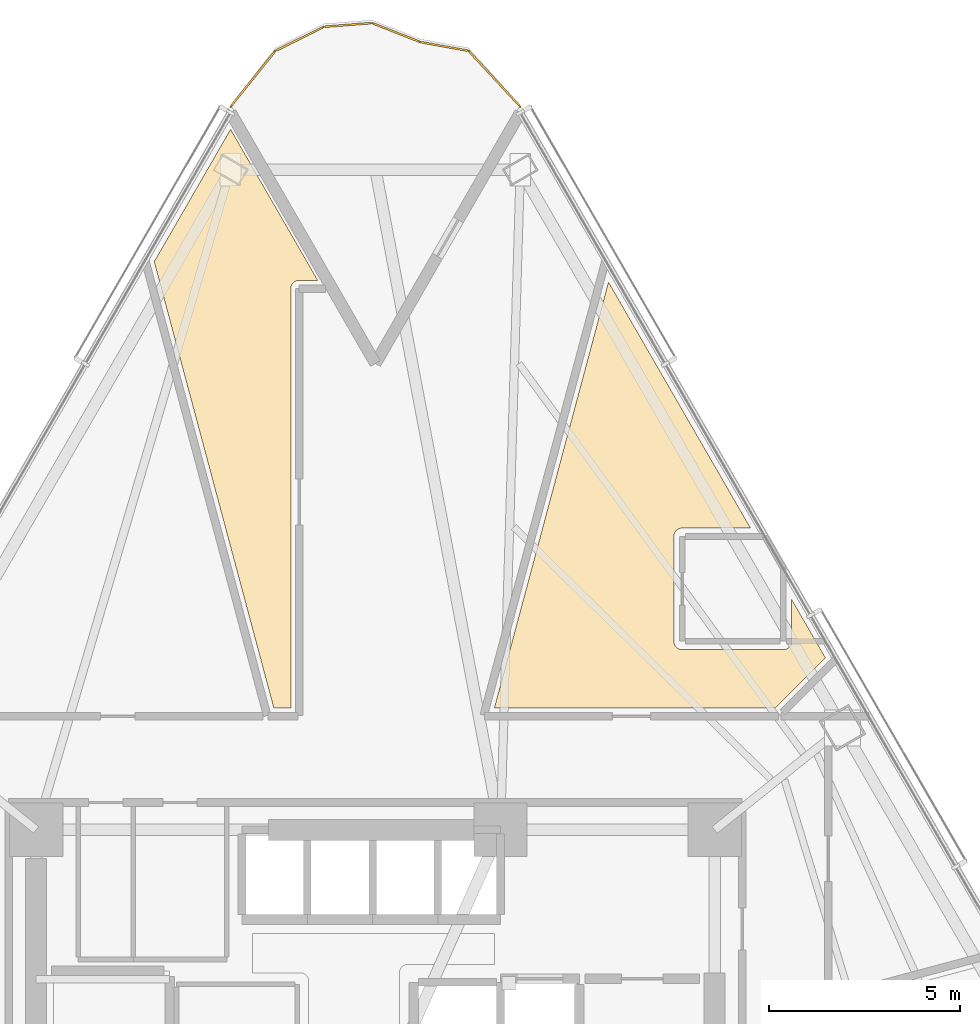
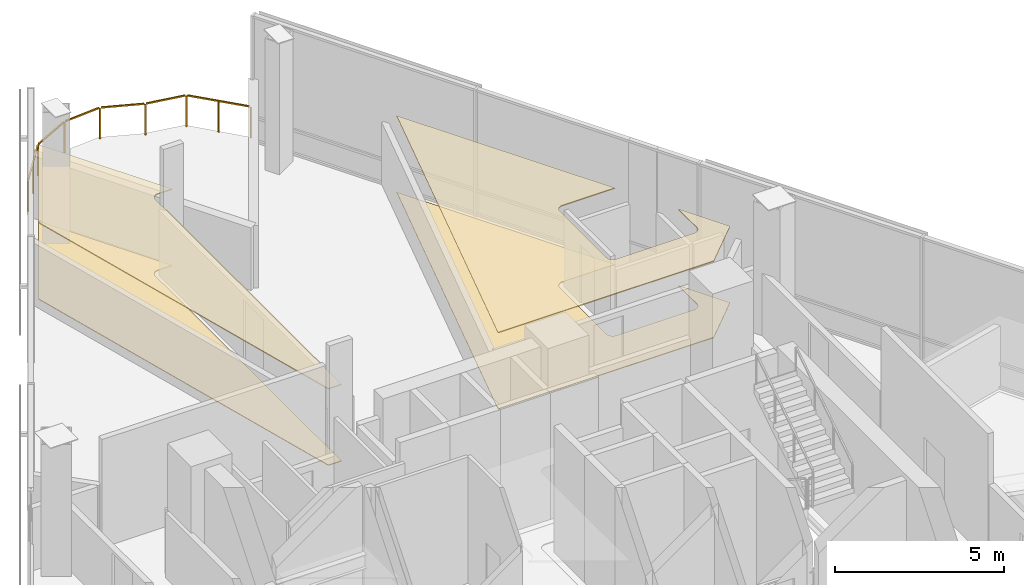
# One storey, part 17 of 17: 4 coverings, 1 railing.
"""IFC4 building model written with IfcOpenShell, lengths in metres."""

from ifc_helpers import new_model, si_unit, direction, frame, origin, origin_2d, place, context, subcontext, project, spatial, polyline, rectangle, outline, extrude, material, layer, layer_set, type_object, element, save


model = new_model("IFC4")

# Units and contexts
model_context = context("Model", 3, precision=1e-05, world=origin(), true_north=direction((0.0, 1.0)))
body_context = subcontext(model_context, "Body", "Model", "MODEL_VIEW")
ifc_project = project(units=[si_unit("LENGTHUNIT", "METRE"), si_unit("AREAUNIT", "SQUARE_METRE"), si_unit("VOLUMEUNIT", "CUBIC_METRE"), si_unit("PLANEANGLEUNIT", "RADIAN"), si_unit("MASSUNIT", "GRAM", prefix="KILO")], contexts=[model_context])

# Site, building, storey
site_placement = place(None, origin())
site = spatial("IfcSite", under=ifc_project, at=site_placement, CompositionType="ELEMENT")
building_placement = place(site_placement, origin())
building = spatial("IfcBuilding", under=site, at=building_placement, Name="Tharavind Bronze Gate", CompositionType="ELEMENT")
storey_placement = place(building_placement, frame((0.0, 0.0, 52.25)))
storey = spatial("IfcBuildingStorey", under=building, at=storey_placement, Name="L12", CompositionType="ELEMENT", Elevation=52.25)

# Coverings
ifc_material_1 = material(Name="Perforated Bronze Acoustic Panel", Category="bronze")
ifc_layer_1 = layer(ifc_material_1, 0.044921875)
ifc_layer_set_1 = layer_set([ifc_layer_1], Name="Perforated Bronze Acoustic Panel")
covering_type_1 = type_object("IfcCoveringType", Name="ACOUSTIC BRONZE BAFFLE CEILING", PredefinedType="CEILING", material=ifc_layer_set_1)
covering_1_placement = place(storey_placement, frame((0.0, 0.0, 2.75)))
element("IfcCovering", 1, at=covering_1_placement, inside=storey, type_object=covering_type_1, Name="L12-RM-03 suspended ceiling", PredefinedType="CEILING", context=body_context, shape_type="SweptSolid", body=[
    extrude(outline(polyline([(-2.666015625, 10.800048828125), (-2.219970703125, 10.800048828125), (-2.219970703125, 21.79931640625), (-2.2197265625, 21.810302734375), (-2.2197265625, 21.810791015625), (-2.217529296875, 21.832275390625), (-2.21337890625, 21.853515625), (-2.20703125, 21.8740234375), (-2.19873046875, 21.89404296875), (-2.188720703125, 21.9130859375), (-2.1767578125, 21.930908203125), (-2.1630859375, 21.94775390625), (-2.147705078125, 21.962890625), (-2.131103515625, 21.976806640625), (-2.113037109375, 21.98876953125), (-2.093994140625, 21.998779296875), (-2.07421875, 22.007080078125), (-2.053466796875, 22.013427734375), (-2.0322265625, 22.017578125), (-2.0107421875, 22.019775390625), (-2.01025390625, 22.019775390625), (-1.99951171875, 22.02001953125), (-1.5146484375, 22.02001953125), (-3.800048828125, 25.978271484375), (-5.80322265625, 22.50830078125), (-2.666015625, 10.800048828125)])), origin(), (0.0, 0.0, 1.0), 0.034912109375),
])
ifc_material_2 = material(Name="Engineered Oak & Carpet Tile", Category="wood")
ifc_layer_2 = layer(ifc_material_2, 0.02490234375)
ifc_layer_set_2 = layer_set([ifc_layer_2], Name="Engineered Oak & Carpet Tile")
covering_type_2 = type_object("IfcCoveringType", Name="ENGINEERED TIMBER FLOORING", PredefinedType="FLOORING", material=ifc_layer_set_2)
covering_2_placement = place(storey_placement, origin())
element("IfcCovering", 2, at=covering_2_placement, inside=storey, type_object=covering_type_2, Name="L12-RM-02 floor finish", PredefinedType="FLOORING", context=body_context, shape_type="SweptSolid", body=[
    extrude(outline(polyline([(10.489013671875, 10.800048828125), (11.803955078125, 12.114990234375), (10.919921875, 13.64599609375), (10.919921875, 12.550048828125), (10.9189453125, 12.5283203125), (10.915771484375, 12.507080078125), (10.910400390625, 12.486083984375), (10.9033203125, 12.4658203125), (10.89404296875, 12.4462890625), (10.8828125, 12.427734375), (10.8701171875, 12.410400390625), (10.855712890625, 12.394287109375), (10.839599609375, 12.3798828125), (10.822265625, 12.3671875), (10.8037109375, 12.35595703125), (10.7841796875, 12.3466796875), (10.763916015625, 12.339599609375), (10.742919921875, 12.334228515625), (10.7216796875, 12.3310546875), (10.699951171875, 12.330078125), (8.050048828125, 12.330078125), (8.0283203125, 12.3310546875), (8.007080078125, 12.334228515625), (7.986083984375, 12.339599609375), (7.9658203125, 12.3466796875), (7.9462890625, 12.35595703125), (7.927734375, 12.3671875), (7.910400390625, 12.3798828125), (7.894287109375, 12.394287109375), (7.8798828125, 12.410400390625), (7.8671875, 12.427734375), (7.85595703125, 12.4462890625), (7.8466796875, 12.4658203125), (7.839599609375, 12.486083984375), (7.834228515625, 12.507080078125), (7.8310546875, 12.5283203125), (7.830078125, 12.550048828125), (7.830078125, 15.300048828125), (7.8310546875, 15.321533203125), (7.834228515625, 15.343017578125), (7.839599609375, 15.364013671875), (7.8466796875, 15.38427734375), (7.85595703125, 15.40380859375), (7.8671875, 15.422119140625), (7.8798828125, 15.439697265625), (7.894287109375, 15.45556640625), (7.910400390625, 15.47021484375), (7.927734375, 15.48291015625), (7.9462890625, 15.493896484375), (7.9658203125, 15.50341796875), (7.986083984375, 15.510498046875), (8.007080078125, 15.515869140625), (8.0283203125, 15.518798828125), (8.050048828125, 15.52001953125), (9.838134765625, 15.52001953125), (6.114501953125, 21.969482421875), (3.12158203125, 10.800048828125), (10.489013671875, 10.800048828125)])), origin(), (0.0, 0.0, 1.0), 0.02490234375),
])
ifc_material_3 = material(Name="Acoustic Gypsum Board", Category="gypsum")
ifc_layer_3 = layer(ifc_material_3, 0.030029296875)
ifc_layer_set_3 = layer_set([ifc_layer_3], Name="Acoustic Gypsum Board")
covering_type_3 = type_object("IfcCoveringType", Name="GYPSUM SUSPENDED CEILING", PredefinedType="CEILING", material=ifc_layer_set_3)
covering_3_placement = place(storey_placement, frame((0.0, 0.0, 2.75)))
element("IfcCovering", 3, at=covering_3_placement, inside=storey, type_object=covering_type_3, Name="L12-RM-02 suspended ceiling", PredefinedType="CEILING", context=body_context, shape_type="SweptSolid", body=[
    extrude(outline(polyline([(10.489013671875, 10.800048828125), (11.803955078125, 12.114990234375), (10.919921875, 13.64599609375), (10.919921875, 12.550048828125), (10.9189453125, 12.5283203125), (10.915771484375, 12.507080078125), (10.910400390625, 12.486083984375), (10.9033203125, 12.4658203125), (10.89404296875, 12.4462890625), (10.8828125, 12.427734375), (10.8701171875, 12.410400390625), (10.855712890625, 12.394287109375), (10.839599609375, 12.3798828125), (10.822265625, 12.3671875), (10.8037109375, 12.35595703125), (10.7841796875, 12.3466796875), (10.763916015625, 12.339599609375), (10.742919921875, 12.334228515625), (10.7216796875, 12.3310546875), (10.699951171875, 12.330078125), (8.050048828125, 12.330078125), (8.0283203125, 12.3310546875), (8.007080078125, 12.334228515625), (7.986083984375, 12.339599609375), (7.9658203125, 12.3466796875), (7.9462890625, 12.35595703125), (7.927734375, 12.3671875), (7.910400390625, 12.3798828125), (7.894287109375, 12.394287109375), (7.8798828125, 12.410400390625), (7.8671875, 12.427734375), (7.85595703125, 12.4462890625), (7.8466796875, 12.4658203125), (7.839599609375, 12.486083984375), (7.834228515625, 12.507080078125), (7.8310546875, 12.5283203125), (7.830078125, 12.550048828125), (7.830078125, 15.300048828125), (7.8310546875, 15.321533203125), (7.834228515625, 15.343017578125), (7.839599609375, 15.364013671875), (7.8466796875, 15.38427734375), (7.85595703125, 15.40380859375), (7.8671875, 15.422119140625), (7.8798828125, 15.439697265625), (7.894287109375, 15.45556640625), (7.910400390625, 15.47021484375), (7.927734375, 15.48291015625), (7.9462890625, 15.493896484375), (7.9658203125, 15.50341796875), (7.986083984375, 15.510498046875), (8.007080078125, 15.515869140625), (8.0283203125, 15.518798828125), (8.050048828125, 15.52001953125), (9.838134765625, 15.52001953125), (6.114501953125, 21.969482421875), (3.12158203125, 10.800048828125), (10.489013671875, 10.800048828125)])), origin(), (0.0, 0.0, 1.0), 0.034912109375),
])
ifc_material_4 = material(Name="Honed Travertine Limestone", Category="masonry")
ifc_layer_4 = layer(ifc_material_4, 0.030029296875)
ifc_layer_set_4 = layer_set([ifc_layer_4], Name="Honed Travertine Limestone")
covering_type_4 = type_object("IfcCoveringType", Name="HONED LIMESTONE FLOORING", PredefinedType="FLOORING", material=ifc_layer_set_4)
covering_4_placement = place(storey_placement, origin())
element("IfcCovering", 4, at=covering_4_placement, inside=storey, type_object=covering_type_4, Name="L12-RM-03 floor finish", PredefinedType="FLOORING", context=body_context, shape_type="SweptSolid", body=[
    extrude(outline(polyline([(-2.666015625, 10.800048828125), (-2.219970703125, 10.800048828125), (-2.219970703125, 21.79931640625), (-2.2197265625, 21.810302734375), (-2.2197265625, 21.810791015625), (-2.217529296875, 21.832275390625), (-2.21337890625, 21.853515625), (-2.20703125, 21.8740234375), (-2.19873046875, 21.89404296875), (-2.188720703125, 21.9130859375), (-2.1767578125, 21.930908203125), (-2.1630859375, 21.94775390625), (-2.147705078125, 21.962890625), (-2.131103515625, 21.976806640625), (-2.113037109375, 21.98876953125), (-2.093994140625, 21.998779296875), (-2.07421875, 22.007080078125), (-2.053466796875, 22.013427734375), (-2.0322265625, 22.017578125), (-2.0107421875, 22.019775390625), (-2.01025390625, 22.019775390625), (-1.99951171875, 22.02001953125), (-1.5146484375, 22.02001953125), (-3.800048828125, 25.978271484375), (-5.80322265625, 22.50830078125), (-2.666015625, 10.800048828125)])), origin(), (0.0, 0.0, 1.0), 0.02490234375),
])

# Railing
ifc_material_5 = material(Name="Bronze Cap & Laminated Glass", Category="glass")
railing_type = type_object("IfcRailingType", Name="TERRACE GLASS GUARD RAILING 1150", PredefinedType="GUARDRAIL", material=ifc_material_5)
railing_placement = place(storey_placement, frame((-3.800048828125, 26.578125, 0.0)))
element("IfcRailing", 5, at=railing_placement, inside=storey, type_object=railing_type, Name="L12 tree balcony guard railing", PredefinedType="GUARDRAIL", context=body_context, shape_type="SweptSolid", body=[
    extrude(rectangle(XDim=0.048095703125, YDim=0.048095703125, at=origin_2d()), frame((0.02001953125, 0.02490234375, 1.1259765625), z_axis=(0.627706650624, 0.778449973192, 0.0), x_axis=(-0.778449973192, 0.627706650624, 0.0)), (0.0, 0.0, 1.0), 1.8115234375),
    extrude(rectangle(XDim=0.048095703125, YDim=0.048095703125, at=origin_2d()), frame((1.205810546875, 1.47412109375, 1.1259765625), z_axis=(0.89511626958, 0.445832775751, 0.0), x_axis=(-0.445832775751, 0.89511626958, 0.0)), (0.0, 0.0, 1.0), 1.35107421875),
    extrude(rectangle(XDim=0.048095703125, YDim=0.048095703125, at=origin_2d()), frame((2.475830078125, 2.09326171875, 1.1259765625), z_axis=(0.996951873955, 0.078018978571, 0.0), x_axis=(-0.078018978571, 0.996951873955, 0.0)), (0.0, 0.0, 1.0), 1.20654296875),
    extrude(rectangle(XDim=0.048095703125, YDim=0.048095703125, at=origin_2d()), frame((3.740234375, 2.17822265625, 1.1259765625), z_axis=(0.930539907569, -0.366190497448, 0.0), x_axis=(0.366190497448, 0.930539907569, 0.0)), (0.0, 0.0, 1.0), 1.29736328125),
    extrude(rectangle(XDim=0.048095703125, YDim=0.048095703125, at=origin_2d()), frame((5.0087890625, 1.685546875, 1.1259765625), z_axis=(0.983711769564, -0.179753037307, 0.0), x_axis=(0.179753037307, 0.983711769564, 0.0)), (0.0, 0.0, 1.0), 1.2236328125),
    extrude(rectangle(XDim=0.048095703125, YDim=0.048095703125, at=origin_2d()), frame((6.265625, 1.4365234375, 1.1259765625), z_axis=(0.680592067339, -0.732662567541, 0.0), x_axis=(0.732662567541, 0.680592067339, 0.0)), (0.0, 0.0, 1.0), 1.9287109375),
    extrude(rectangle(XDim=0.0400390625, YDim=0.0400390625, at=origin_2d()), origin(), (0.0, 0.0, 1.0), 1.097900390625),
    extrude(rectangle(XDim=0.0400390625, YDim=0.0400390625, at=origin_2d()), frame((0.588623046875, 0.72998046875, 0.0)), (0.0, 0.0, 1.0), 1.097900390625),
    extrude(rectangle(XDim=0.0400390625, YDim=0.0400390625, at=origin_2d()), frame((1.17724609375, 1.4599609375, 0.0)), (0.0, 0.0, 1.0), 1.097900390625),
    extrude(rectangle(XDim=0.0400390625, YDim=0.0400390625, at=origin_2d()), frame((2.44384765625, 2.0908203125, 0.0)), (0.0, 0.0, 1.0), 1.097900390625),
    extrude(rectangle(XDim=0.0400390625, YDim=0.0400390625, at=origin_2d()), frame((3.71044921875, 2.18994140625, 0.0)), (0.0, 0.0, 1.0), 1.097900390625),
    extrude(rectangle(XDim=0.0400390625, YDim=0.0400390625, at=origin_2d()), frame((4.977294921875, 1.69140625, 0.0)), (0.0, 0.0, 1.0), 1.097900390625),
    extrude(rectangle(XDim=0.0400390625, YDim=0.0400390625, at=origin_2d()), frame((6.243896484375, 1.4599609375, 0.0)), (0.0, 0.0, 1.0), 1.097900390625),
    extrude(rectangle(XDim=0.0400390625, YDim=0.0400390625, at=origin_2d()), frame((6.921875, 0.72998046875, 0.0)), (0.0, 0.0, 1.0), 1.097900390625),
    extrude(rectangle(XDim=0.0400390625, YDim=0.0400390625, at=origin_2d()), frame((7.60009765625, 0.0, 0.0)), (0.0, 0.0, 1.0), 1.097900390625),
])

save(model, "model.ifc")
